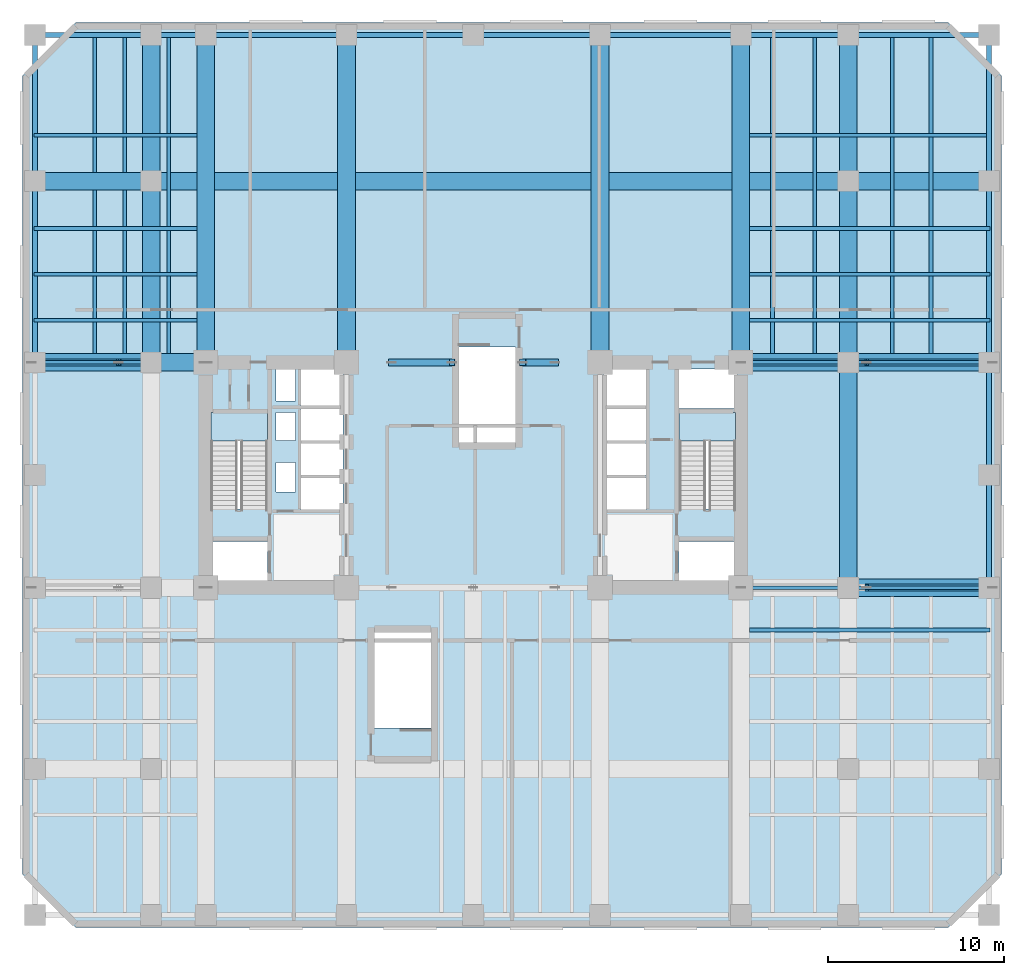
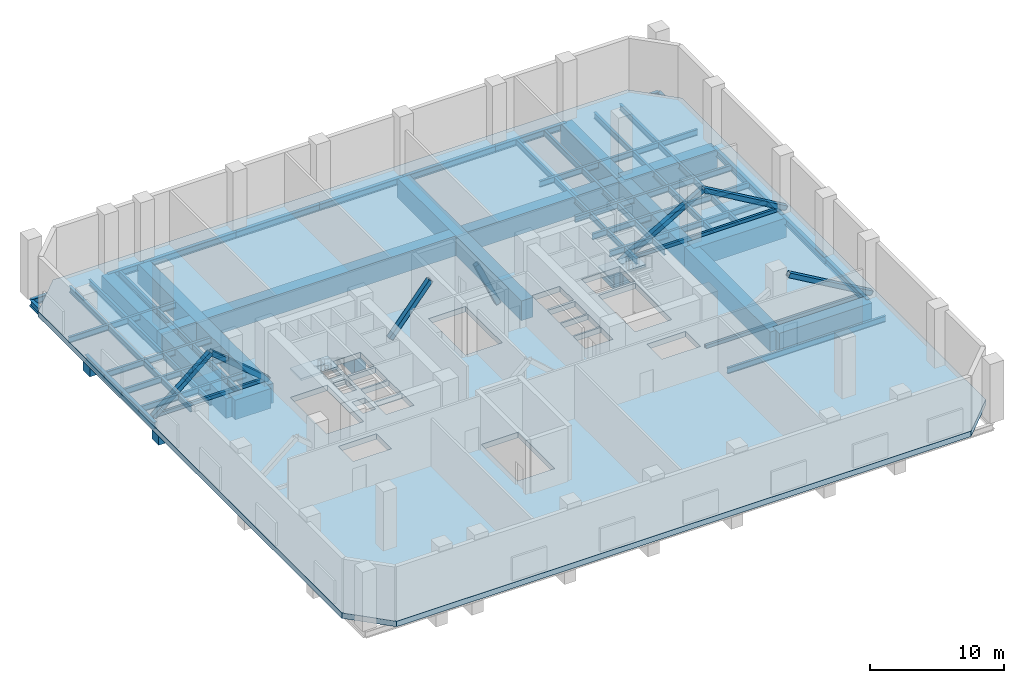
# One storey, part 2 of 13: 47 beams, 10 members, 3 slabs, 2 elements without a shape of their own.
"""IFC4 building model written with IfcOpenShell, lengths in metres."""

from ifc_helpers import new_model, si_unit, direction, frame, origin, origin_2d, place, context, subcontext, project, spatial, polyline, rectangle, hollow_rectangle, i_section, outline, extrude, material, layer, layer_set, material_profile, profile_set, type_object, element, aggregate, save


model = new_model("IFC4")

# Units and contexts
model_context = context("Model", 3, precision=1e-05, world=origin(), true_north=direction((0.0, 1.0)))
body_context = subcontext(model_context, "Body", "Model", "MODEL_VIEW")
ifc_project = project(units=[si_unit("LENGTHUNIT", "METRE"), si_unit("AREAUNIT", "SQUARE_METRE"), si_unit("VOLUMEUNIT", "CUBIC_METRE"), si_unit("PLANEANGLEUNIT", "RADIAN"), si_unit("MASSUNIT", "GRAM", prefix="KILO")], contexts=[model_context])

# Site, building, storey
site_placement = place(None, origin())
site = spatial("IfcSite", under=ifc_project, at=site_placement, CompositionType="ELEMENT")
building_placement = place(site_placement, origin())
building = spatial("IfcBuilding", under=site, at=building_placement, Name="Kranthara Brick Stack", CompositionType="ELEMENT")
storey_placement = place(building_placement, frame((0.0, 0.0, 18.89990234375)))
storey = spatial("IfcBuildingStorey", under=building, at=storey_placement, Name="L04", CompositionType="ELEMENT", Elevation=18.89990234375)

# Beams
ifc_material_1 = material(Name="Steel S355", Category="steel")
ifc_material_profile_1 = material_profile(ifc_material_1, i_section(OverallWidth=0.2099609375, OverallDepth=0.550048828125, WebThickness=0.010986328125, FlangeThickness=0.01708984375, at=origin_2d()), Name="IPE 550")
ifc_profile_set_1 = profile_set([ifc_material_profile_1], Name="Steel S355")
beam_type_1 = type_object("IfcBeamType", Name="BM-JST-IPE550", PredefinedType="JOIST", material=ifc_profile_set_1)
for number, where, z_axis, x_axis, name in (
    (1, (6.5, 34.10009765625, -0.77490234375), (0.0, 1.0, 0.0), (-1.0, 0.0, 0.0), "L04 North Wing Floor Joist 066"),
    (2, (8.199951171875, 34.10009765625, -0.77490234375), (0.0, 1.0, 0.0), (-1.0, 0.0, 0.0), "L04 North Wing Floor Joist 068"),
    (3, (10.699951171875, 34.10009765625, -0.77490234375), (0.0, 1.0, 0.0), (-1.0, 0.0, 0.0), "L04 North Wing Floor Joist 070"),
    (4, (45.0, 34.10009765625, -0.77490234375), (0.0, 1.0, 0.0), (-1.0, 0.0, 0.0), "L04 North Wing Floor Joist 076"),
    (5, (47.39990234375, 34.10009765625, -0.77490234375), (0.0, 1.0, 0.0), (-1.0, 0.0, 0.0), "L04 North Wing Floor Joist 078"),
    (6, (51.800048828125, 34.10009765625, -0.77490234375), (0.0, 1.0, 0.0), (-1.0, 0.0, 0.0), "L04 North Wing Floor Joist 080"),
    (7, (54.0, 34.10009765625, -0.77490234375), (0.0, 1.0, 0.0), (-1.0, 0.0, 0.0), "L04 North Wing Floor Joist 082"),
):
    element("IfcBeam", number, at=place(storey_placement, frame(where, z_axis=z_axis, x_axis=x_axis)), inside=storey, type_object=beam_type_1, Name=name, PredefinedType="JOIST", context=body_context, shape_type="SweptSolid", body=[
        extrude(i_section(OverallWidth=0.2099609375, OverallDepth=0.550048828125, WebThickness=0.010986328125, FlangeThickness=0.01708984375, at=origin_2d()), origin(), (0.0, 0.0, 1.0), 18.14990234375),
    ])
beam_1_placement = place(storey_placement, frame((43.699951171875, 18.39990234375, -0.77490234375), z_axis=(1.0, 0.0, 0.0), x_axis=(0.0, 1.0, 0.0)))
element("IfcBeam", 8, at=beam_1_placement, inside=storey, type_object=beam_type_1, Name="L04 East Wing Floor Joist 090", PredefinedType="JOIST", context=body_context, shape_type="SweptSolid", body=[
    extrude(i_section(OverallWidth=0.2099609375, OverallDepth=0.550048828125, WebThickness=0.010986328125, FlangeThickness=0.01708984375, at=origin_2d()), origin(), (0.0, 0.0, 1.0), 13.650146484375),
])
beam_2_placement = place(storey_placement, frame((3.050048828125, 36.0, -0.77490234375), z_axis=(1.0, 0.0, 0.0), x_axis=(0.0, 1.0, 0.0)))
element("IfcBeam", 9, at=beam_2_placement, inside=storey, type_object=beam_type_1, Name="L04 West Wing Floor Joist 091", PredefinedType="JOIST", context=body_context, shape_type="SweptSolid", body=[
    extrude(i_section(OverallWidth=0.2099609375, OverallDepth=0.550048828125, WebThickness=0.010986328125, FlangeThickness=0.01708984375, at=origin_2d()), origin(), (0.0, 0.0, 1.0), 9.25),
])
beam_3_placement = place(storey_placement, frame((43.699951171875, 36.0, -0.77490234375), z_axis=(1.0, 0.0, 0.0), x_axis=(0.0, 1.0, 0.0)))
element("IfcBeam", 10, at=beam_3_placement, inside=storey, type_object=beam_type_1, Name="L04 East Wing Floor Joist 092", PredefinedType="JOIST", context=body_context, shape_type="SweptSolid", body=[
    extrude(i_section(OverallWidth=0.2099609375, OverallDepth=0.550048828125, WebThickness=0.010986328125, FlangeThickness=0.01708984375, at=origin_2d()), origin(), (0.0, 0.0, 1.0), 13.650146484375),
])
beam_4_placement = place(storey_placement, frame((3.050048828125, 38.60009765625, -0.77490234375), z_axis=(1.0, 0.0, 0.0), x_axis=(0.0, 1.0, 0.0)))
element("IfcBeam", 11, at=beam_4_placement, inside=storey, type_object=beam_type_1, Name="L04 West Wing Floor Joist 093", PredefinedType="JOIST", context=body_context, shape_type="SweptSolid", body=[
    extrude(i_section(OverallWidth=0.2099609375, OverallDepth=0.550048828125, WebThickness=0.010986328125, FlangeThickness=0.01708984375, at=origin_2d()), origin(), (0.0, 0.0, 1.0), 9.25),
])
beam_5_placement = place(storey_placement, frame((43.699951171875, 38.60009765625, -0.77490234375), z_axis=(1.0, 0.0, 0.0), x_axis=(0.0, 1.0, 0.0)))
element("IfcBeam", 12, at=beam_5_placement, inside=storey, type_object=beam_type_1, Name="L04 East Wing Floor Joist 094", PredefinedType="JOIST", context=body_context, shape_type="SweptSolid", body=[
    extrude(i_section(OverallWidth=0.2099609375, OverallDepth=0.550048828125, WebThickness=0.010986328125, FlangeThickness=0.01708984375, at=origin_2d()), origin(), (0.0, 0.0, 1.0), 13.650146484375),
])
beam_6_placement = place(storey_placement, frame((3.050048828125, 41.199951171875, -0.77490234375), z_axis=(1.0, 0.0, 0.0), x_axis=(0.0, 1.0, 0.0)))
element("IfcBeam", 13, at=beam_6_placement, inside=storey, type_object=beam_type_1, Name="L04 West Wing Floor Joist 095", PredefinedType="JOIST", context=body_context, shape_type="SweptSolid", body=[
    extrude(i_section(OverallWidth=0.2099609375, OverallDepth=0.550048828125, WebThickness=0.010986328125, FlangeThickness=0.01708984375, at=origin_2d()), origin(), (0.0, 0.0, 1.0), 9.25),
])
beam_7_placement = place(storey_placement, frame((43.699951171875, 41.199951171875, -0.77490234375), z_axis=(1.0, 0.0, 0.0), x_axis=(0.0, 1.0, 0.0)))
element("IfcBeam", 14, at=beam_7_placement, inside=storey, type_object=beam_type_1, Name="L04 East Wing Floor Joist 096", PredefinedType="JOIST", context=body_context, shape_type="SweptSolid", body=[
    extrude(i_section(OverallWidth=0.2099609375, OverallDepth=0.550048828125, WebThickness=0.010986328125, FlangeThickness=0.01708984375, at=origin_2d()), origin(), (0.0, 0.0, 1.0), 13.650146484375),
])
beam_8_placement = place(storey_placement, frame((3.050048828125, 46.5, -0.77490234375), z_axis=(1.0, 0.0, 0.0), x_axis=(0.0, 1.0, 0.0)))
element("IfcBeam", 15, at=beam_8_placement, inside=storey, type_object=beam_type_1, Name="L04 West Wing Floor Joist 097", PredefinedType="JOIST", context=body_context, shape_type="SweptSolid", body=[
    extrude(i_section(OverallWidth=0.2099609375, OverallDepth=0.550048828125, WebThickness=0.010986328125, FlangeThickness=0.01708984375, at=origin_2d()), origin(), (0.0, 0.0, 1.0), 9.25),
])
beam_9_placement = place(storey_placement, frame((43.699951171875, 46.5, -0.77490234375), z_axis=(1.0, 0.0, 0.0), x_axis=(0.0, 1.0, 0.0)))
element("IfcBeam", 16, at=beam_9_placement, inside=storey, type_object=beam_type_1, Name="L04 East Wing Floor Joist 098", PredefinedType="JOIST", context=body_context, shape_type="SweptSolid", body=[
    extrude(i_section(OverallWidth=0.2099609375, OverallDepth=0.550048828125, WebThickness=0.010986328125, FlangeThickness=0.01708984375, at=origin_2d()), origin(), (0.0, 0.0, 1.0), 13.650146484375),
])
ifc_material_2 = material(Name="Steel S355", Category="steel")
ifc_material_profile_2 = material_profile(ifc_material_2, i_section(OverallWidth=0.300048828125, OverallDepth=0.60009765625, WebThickness=0.015380859375, FlangeThickness=0.030029296875, at=origin_2d()), Name="HEB 600")
ifc_profile_set_2 = profile_set([ifc_material_profile_2], Name="Steel S355")
beam_type_2 = type_object("IfcBeamType", Name="BM-STL-HEB600", PredefinedType="BEAM", material=ifc_profile_set_2)
beam_10_placement = place(storey_placement, frame((3.10009765625, 52.199951171875, -0.7998046875), z_axis=(1.0, 0.0, 0.0), x_axis=(0.0, 1.0, 0.0)))
element("IfcBeam", 17, at=beam_10_placement, inside=storey, type_object=beam_type_2, Name="L04 Perimeter Spandrel Beam 012", PredefinedType="BEAM", context=body_context, shape_type="SweptSolid", body=[
    extrude(i_section(OverallWidth=0.300048828125, OverallDepth=0.60009765625, WebThickness=0.015380859375, FlangeThickness=0.030029296875, at=origin_2d()), origin(), (0.0, 0.0, 1.0), 6.599853515625),
])
beam_11_placement = place(storey_placement, frame((9.699951171875, 52.199951171875, -0.7998046875), z_axis=(1.0, 0.0, 0.0), x_axis=(0.0, 1.0, 0.0)))
element("IfcBeam", 18, at=beam_11_placement, inside=storey, type_object=beam_type_2, Name="L04 Perimeter Spandrel Beam 013", PredefinedType="BEAM", context=body_context, shape_type="SweptSolid", body=[
    extrude(i_section(OverallWidth=0.300048828125, OverallDepth=0.60009765625, WebThickness=0.015380859375, FlangeThickness=0.030029296875, at=origin_2d()), origin(), (0.0, 0.0, 1.0), 3.10009765625),
])
beam_12_placement = place(storey_placement, frame((12.800048828125, 52.199951171875, -0.7998046875), z_axis=(1.0, 0.0, 0.0), x_axis=(0.0, 1.0, 0.0)))
element("IfcBeam", 19, at=beam_12_placement, inside=storey, type_object=beam_type_2, Name="L04 Perimeter Spandrel Beam 014", PredefinedType="BEAM", context=body_context, shape_type="SweptSolid", body=[
    extrude(i_section(OverallWidth=0.300048828125, OverallDepth=0.60009765625, WebThickness=0.015380859375, FlangeThickness=0.030029296875, at=origin_2d()), origin(), (0.0, 0.0, 1.0), 8.0),
])
for number, where, z_axis, x_axis, name in (
    (20, (20.800048828125, 52.199951171875, -0.7998046875), (1.0, 0.0, 0.0), (0.0, 1.0, 0.0), "L04 Perimeter Spandrel Beam 015"),
    (21, (28.0, 52.199951171875, -0.7998046875), (1.0, 0.0, 0.0), (0.0, 1.0, 0.0), "L04 Perimeter Spandrel Beam 016"),
):
    element("IfcBeam", number, at=place(storey_placement, frame(where, z_axis=z_axis, x_axis=x_axis)), inside=storey, type_object=beam_type_2, Name=name, PredefinedType="BEAM", context=body_context, shape_type="SweptSolid", body=[
        extrude(i_section(OverallWidth=0.300048828125, OverallDepth=0.60009765625, WebThickness=0.015380859375, FlangeThickness=0.030029296875, at=origin_2d()), origin(), (0.0, 0.0, 1.0), 7.199951171875),
    ])
beam_13_placement = place(storey_placement, frame((35.199951171875, 52.199951171875, -0.7998046875), z_axis=(1.0, 0.0, 0.0), x_axis=(0.0, 1.0, 0.0)))
element("IfcBeam", 22, at=beam_13_placement, inside=storey, type_object=beam_type_2, Name="L04 Perimeter Spandrel Beam 017", PredefinedType="BEAM", context=body_context, shape_type="SweptSolid", body=[
    extrude(i_section(OverallWidth=0.300048828125, OverallDepth=0.60009765625, WebThickness=0.015380859375, FlangeThickness=0.030029296875, at=origin_2d()), origin(), (0.0, 0.0, 1.0), 8.0),
])
beam_14_placement = place(storey_placement, frame((43.199951171875, 52.199951171875, -0.7998046875), z_axis=(1.0, 0.0, 0.0), x_axis=(0.0, 1.0, 0.0)))
element("IfcBeam", 23, at=beam_14_placement, inside=storey, type_object=beam_type_2, Name="L04 Perimeter Spandrel Beam 018", PredefinedType="BEAM", context=body_context, shape_type="SweptSolid", body=[
    extrude(i_section(OverallWidth=0.300048828125, OverallDepth=0.60009765625, WebThickness=0.015380859375, FlangeThickness=0.030029296875, at=origin_2d()), origin(), (0.0, 0.0, 1.0), 6.10009765625),
])
beam_15_placement = place(storey_placement, frame((49.300048828125, 52.199951171875, -0.7998046875), z_axis=(1.0, 0.0, 0.0), x_axis=(0.0, 1.0, 0.0)))
element("IfcBeam", 24, at=beam_15_placement, inside=storey, type_object=beam_type_2, Name="L04 Perimeter Spandrel Beam 019", PredefinedType="BEAM", context=body_context, shape_type="SweptSolid", body=[
    extrude(i_section(OverallWidth=0.300048828125, OverallDepth=0.60009765625, WebThickness=0.015380859375, FlangeThickness=0.030029296875, at=origin_2d()), origin(), (0.0, 0.0, 1.0), 8.0),
])
beam_16_placement = place(storey_placement, frame((3.10009765625, 33.60009765625, -0.7998046875), z_axis=(0.0, 1.0, 0.0), x_axis=(-1.0, 0.0, 0.0)))
element("IfcBeam", 25, at=beam_16_placement, inside=storey, type_object=beam_type_2, Name="L04 Perimeter Spandrel Beam 024", PredefinedType="BEAM", context=body_context, shape_type="SweptSolid", body=[
    extrude(i_section(OverallWidth=0.300048828125, OverallDepth=0.60009765625, WebThickness=0.015380859375, FlangeThickness=0.030029296875, at=origin_2d()), origin(), (0.0, 0.0, 1.0), 10.2998046875),
])
beam_17_placement = place(storey_placement, frame((3.10009765625, 43.89990234375, -0.7998046875), z_axis=(0.0, 1.0, 0.0), x_axis=(-1.0, 0.0, 0.0)))
element("IfcBeam", 26, at=beam_17_placement, inside=storey, type_object=beam_type_2, Name="L04 Perimeter Spandrel Beam 025", PredefinedType="BEAM", context=body_context, shape_type="SweptSolid", body=[
    extrude(i_section(OverallWidth=0.300048828125, OverallDepth=0.60009765625, WebThickness=0.015380859375, FlangeThickness=0.030029296875, at=origin_2d()), origin(), (0.0, 0.0, 1.0), 8.300048828125),
])
beam_18_placement = place(storey_placement, frame((57.300048828125, 20.800048828125, -0.7998046875), z_axis=(0.0, 1.0, 0.0), x_axis=(-1.0, 0.0, 0.0)))
element("IfcBeam", 27, at=beam_18_placement, inside=storey, type_object=beam_type_2, Name="L04 Perimeter Spandrel Beam 028", PredefinedType="BEAM", context=body_context, shape_type="SweptSolid", body=[
    extrude(i_section(OverallWidth=0.300048828125, OverallDepth=0.60009765625, WebThickness=0.015380859375, FlangeThickness=0.030029296875, at=origin_2d()), origin(), (0.0, 0.0, 1.0), 6.39990234375),
])
beam_19_placement = place(storey_placement, frame((57.300048828125, 27.199951171875, -0.7998046875), z_axis=(0.0, 1.0, 0.0), x_axis=(-1.0, 0.0, 0.0)))
element("IfcBeam", 28, at=beam_19_placement, inside=storey, type_object=beam_type_2, Name="L04 Perimeter Spandrel Beam 029", PredefinedType="BEAM", context=body_context, shape_type="SweptSolid", body=[
    extrude(i_section(OverallWidth=0.300048828125, OverallDepth=0.60009765625, WebThickness=0.015380859375, FlangeThickness=0.030029296875, at=origin_2d()), origin(), (0.0, 0.0, 1.0), 6.400146484375),
])
beam_20_placement = place(storey_placement, frame((57.300048828125, 33.60009765625, -0.7998046875), z_axis=(0.0, 1.0, 0.0), x_axis=(-1.0, 0.0, 0.0)))
element("IfcBeam", 29, at=beam_20_placement, inside=storey, type_object=beam_type_2, Name="L04 Perimeter Spandrel Beam 030", PredefinedType="BEAM", context=body_context, shape_type="SweptSolid", body=[
    extrude(i_section(OverallWidth=0.300048828125, OverallDepth=0.60009765625, WebThickness=0.015380859375, FlangeThickness=0.030029296875, at=origin_2d()), origin(), (0.0, 0.0, 1.0), 10.2998046875),
])
beam_21_placement = place(storey_placement, frame((57.300048828125, 43.89990234375, -0.7998046875), z_axis=(0.0, 1.0, 0.0), x_axis=(-1.0, 0.0, 0.0)))
element("IfcBeam", 30, at=beam_21_placement, inside=storey, type_object=beam_type_2, Name="L04 Perimeter Spandrel Beam 031", PredefinedType="BEAM", context=body_context, shape_type="SweptSolid", body=[
    extrude(i_section(OverallWidth=0.300048828125, OverallDepth=0.60009765625, WebThickness=0.015380859375, FlangeThickness=0.030029296875, at=origin_2d()), origin(), (0.0, 0.0, 1.0), 8.300048828125),
])
ifc_material_3 = material(Name="Post-tensioned concrete C50/60", Category="concrete")
ifc_material_profile_3 = material_profile(ifc_material_3, rectangle(XDim=1.0, YDim=1.800048828125, at=origin_2d()), Name="PT 1000x1800")
ifc_profile_set_3 = profile_set([ifc_material_profile_3], Name="Post-tensioned concrete C50/60")
beam_type_3 = type_object("IfcBeamType", Name="BM-TR-PT1800", PredefinedType="T_BEAM", material=ifc_profile_set_3)
beam_22_placement = place(storey_placement, frame((9.699951171875, 33.60009765625, -1.39990234375), z_axis=(0.0, 1.0, 0.0), x_axis=(-1.0, 0.0, 0.0)))
element("IfcBeam", 31, at=beam_22_placement, inside=storey, type_object=beam_type_3, Name="L04 Primary Grid Girder 035", PredefinedType="T_BEAM", context=body_context, shape_type="SweptSolid", body=[
    extrude(rectangle(XDim=1.0, YDim=1.800048828125, at=origin_2d()), origin(), (0.0, 0.0, 1.0), 10.2998046875),
])
beam_23_placement = place(storey_placement, frame((9.699951171875, 43.89990234375, -1.39990234375), z_axis=(0.0, 1.0, 0.0), x_axis=(-1.0, 0.0, 0.0)))
element("IfcBeam", 32, at=beam_23_placement, inside=storey, type_object=beam_type_3, Name="L04 Primary Grid Girder 036", PredefinedType="T_BEAM", context=body_context, shape_type="SweptSolid", body=[
    extrude(rectangle(XDim=1.0, YDim=1.800048828125, at=origin_2d()), origin(), (0.0, 0.0, 1.0), 8.300048828125),
])
for number, where, z_axis, x_axis, name in (
    (33, (12.800048828125, 33.60009765625, -1.39990234375), (0.0, 1.0, 0.0), (-1.0, 0.0, 0.0), "L04 Primary Grid Girder 038"),
    (34, (20.800048828125, 33.60009765625, -1.39990234375), (0.0, 1.0, 0.0), (-1.0, 0.0, 0.0), "L04 Primary Grid Girder 040"),
    (35, (35.199951171875, 33.60009765625, -1.39990234375), (0.0, 1.0, 0.0), (-1.0, 0.0, 0.0), "L04 Primary Grid Girder 043"),
    (36, (43.199951171875, 33.60009765625, -1.39990234375), (0.0, 1.0, 0.0), (-1.0, 0.0, 0.0), "L04 Primary Grid Girder 045"),
):
    element("IfcBeam", number, at=place(storey_placement, frame(where, z_axis=z_axis, x_axis=x_axis)), inside=storey, type_object=beam_type_3, Name=name, PredefinedType="T_BEAM", context=body_context, shape_type="SweptSolid", body=[
        extrude(rectangle(XDim=1.0, YDim=1.800048828125, at=origin_2d()), origin(), (0.0, 0.0, 1.0), 18.599853515625),
    ])
beam_24_placement = place(storey_placement, frame((49.300048828125, 20.800048828125, -1.39990234375), z_axis=(0.0, 1.0, 0.0), x_axis=(-1.0, 0.0, 0.0)))
element("IfcBeam", 37, at=beam_24_placement, inside=storey, type_object=beam_type_3, Name="L04 Primary Grid Girder 048", PredefinedType="T_BEAM", context=body_context, shape_type="SweptSolid", body=[
    extrude(rectangle(XDim=1.0, YDim=1.800048828125, at=origin_2d()), origin(), (0.0, 0.0, 1.0), 12.800048828125),
])
beam_25_placement = place(storey_placement, frame((49.300048828125, 33.60009765625, -1.39990234375), z_axis=(0.0, 1.0, 0.0), x_axis=(-1.0, 0.0, 0.0)))
element("IfcBeam", 38, at=beam_25_placement, inside=storey, type_object=beam_type_3, Name="L04 Primary Grid Girder 049", PredefinedType="T_BEAM", context=body_context, shape_type="SweptSolid", body=[
    extrude(rectangle(XDim=1.0, YDim=1.800048828125, at=origin_2d()), origin(), (0.0, 0.0, 1.0), 10.2998046875),
])
beam_26_placement = place(storey_placement, frame((49.300048828125, 43.89990234375, -1.39990234375), z_axis=(0.0, 1.0, 0.0), x_axis=(-1.0, 0.0, 0.0)))
element("IfcBeam", 39, at=beam_26_placement, inside=storey, type_object=beam_type_3, Name="L04 Primary Grid Girder 050", PredefinedType="T_BEAM", context=body_context, shape_type="SweptSolid", body=[
    extrude(rectangle(XDim=1.0, YDim=1.800048828125, at=origin_2d()), origin(), (0.0, 0.0, 1.0), 8.300048828125),
])
beam_27_placement = place(storey_placement, frame((49.300048828125, 20.800048828125, -1.39990234375), z_axis=(1.0, 0.0, 0.0), x_axis=(0.0, 1.0, 0.0)))
element("IfcBeam", 40, at=beam_27_placement, inside=storey, type_object=beam_type_3, Name="L04 Primary Grid Girder 057", PredefinedType="T_BEAM", context=body_context, shape_type="SweptSolid", body=[
    extrude(rectangle(XDim=1.0, YDim=1.800048828125, at=origin_2d()), origin(), (0.0, 0.0, 1.0), 8.0),
])
beam_28_placement = place(storey_placement, frame((3.10009765625, 33.60009765625, -1.39990234375), z_axis=(1.0, 0.0, 0.0), x_axis=(0.0, 1.0, 0.0)))
element("IfcBeam", 41, at=beam_28_placement, inside=storey, type_object=beam_type_3, Name="L04 Primary Grid Girder 058", PredefinedType="T_BEAM", context=body_context, shape_type="SweptSolid", body=[
    extrude(rectangle(XDim=1.0, YDim=1.800048828125, at=origin_2d()), origin(), (0.0, 0.0, 1.0), 6.599853515625),
])
beam_29_placement = place(storey_placement, frame((9.699951171875, 33.60009765625, -1.39990234375), z_axis=(1.0, 0.0, 0.0), x_axis=(0.0, 1.0, 0.0)))
element("IfcBeam", 42, at=beam_29_placement, inside=storey, type_object=beam_type_3, Name="L04 Primary Grid Girder 059", PredefinedType="T_BEAM", context=body_context, shape_type="SweptSolid", body=[
    extrude(rectangle(XDim=1.0, YDim=1.800048828125, at=origin_2d()), origin(), (0.0, 0.0, 1.0), 3.10009765625),
])
beam_30_placement = place(storey_placement, frame((43.199951171875, 33.60009765625, -1.39990234375), z_axis=(1.0, 0.0, 0.0), x_axis=(0.0, 1.0, 0.0)))
element("IfcBeam", 43, at=beam_30_placement, inside=storey, type_object=beam_type_3, Name="L04 Primary Grid Girder 060", PredefinedType="T_BEAM", context=body_context, shape_type="SweptSolid", body=[
    extrude(rectangle(XDim=1.0, YDim=1.800048828125, at=origin_2d()), origin(), (0.0, 0.0, 1.0), 6.10009765625),
])
beam_31_placement = place(storey_placement, frame((49.300048828125, 33.60009765625, -1.39990234375), z_axis=(1.0, 0.0, 0.0), x_axis=(0.0, 1.0, 0.0)))
element("IfcBeam", 44, at=beam_31_placement, inside=storey, type_object=beam_type_3, Name="L04 Primary Grid Girder 061", PredefinedType="T_BEAM", context=body_context, shape_type="SweptSolid", body=[
    extrude(rectangle(XDim=1.0, YDim=1.800048828125, at=origin_2d()), origin(), (0.0, 0.0, 1.0), 8.0),
])
beam_32_placement = place(storey_placement, frame((3.10009765625, 43.89990234375, -1.39990234375), z_axis=(1.0, 0.0, 0.0), x_axis=(0.0, 1.0, 0.0)))
element("IfcBeam", 45, at=beam_32_placement, inside=storey, type_object=beam_type_3, Name="L04 Primary Grid Girder 062", PredefinedType="T_BEAM", context=body_context, shape_type="SweptSolid", body=[
    extrude(rectangle(XDim=1.0, YDim=1.800048828125, at=origin_2d()), origin(), (0.0, 0.0, 1.0), 6.599853515625),
])
beam_33_placement = place(storey_placement, frame((9.699951171875, 43.89990234375, -1.39990234375), z_axis=(1.0, 0.0, 0.0), x_axis=(0.0, 1.0, 0.0)))
element("IfcBeam", 46, at=beam_33_placement, inside=storey, type_object=beam_type_3, Name="L04 Primary Grid Girder 063", PredefinedType="T_BEAM", context=body_context, shape_type="SweptSolid", body=[
    extrude(rectangle(XDim=1.0, YDim=1.800048828125, at=origin_2d()), origin(), (0.0, 0.0, 1.0), 39.60009765625),
])
beam_34_placement = place(storey_placement, frame((49.300048828125, 43.89990234375, -1.39990234375), z_axis=(1.0, 0.0, 0.0), x_axis=(0.0, 1.0, 0.0)))
element("IfcBeam", 47, at=beam_34_placement, inside=storey, type_object=beam_type_3, Name="L04 Primary Grid Girder 064", PredefinedType="T_BEAM", context=body_context, shape_type="SweptSolid", body=[
    extrude(rectangle(XDim=1.0, YDim=1.800048828125, at=origin_2d()), origin(), (0.0, 0.0, 1.0), 8.0),
])

# Members
ifc_material_4 = material(Name="Steel S460", Category="steel")
ifc_material_profile_4 = material_profile(ifc_material_4, hollow_rectangle(XDim=0.39990234375, YDim=0.39990234375, WallThickness=0.02001953125, at=origin_2d()), Name="SHS 400x400x20")
ifc_profile_set_4 = profile_set([ifc_material_profile_4], Name="Steel S460")
member_type_1 = type_object("IfcMemberType", Name="MB-BRC-SHS400", PredefinedType="BRACE", material=ifc_profile_set_4)
member_1_placement = place(storey_placement, frame((12.800048828125, 33.60009765625, 0.10009765625), z_axis=(-0.766318793148, 0.0, 0.64246051028), x_axis=(0.0, -1.0, 0.0)))
element("IfcMember", 48, at=member_1_placement, inside=storey, type_object=member_type_1, Name="L04 Outrigger Truss Diagonal 02", PredefinedType="BRACE", context=body_context, shape_type="SweptSolid", body=[
    extrude(hollow_rectangle(XDim=0.39990234375, YDim=0.39990234375, WallThickness=0.02001953125, at=origin_2d()), origin(), (0.0, 0.0, 1.0), 6.45947265625),
])
member_2_placement = place(storey_placement, frame((43.199951171875, 33.60009765625, 0.10009765625), z_axis=(0.86488324767, 0.0, 0.501973074876), x_axis=(0.0, 1.0, 0.0)))
element("IfcMember", 49, at=member_2_placement, inside=storey, type_object=member_type_1, Name="L04 Outrigger Truss Diagonal 04", PredefinedType="BRACE", context=body_context, shape_type="SweptSolid", body=[
    extrude(hollow_rectangle(XDim=0.39990234375, YDim=0.39990234375, WallThickness=0.02001953125, at=origin_2d()), origin(), (0.0, 0.0, 1.0), 8.26708984375),
])
member_3_placement = place(storey_placement, frame((7.85009765625, 33.60009765625, 4.25), z_axis=(-0.766334393077, 0.0, -0.642441902422), x_axis=(0.0, -1.0, 0.0)))
element("IfcMember", 50, at=member_3_placement, inside=storey, type_object=member_type_1, Name="L04 Outrigger Truss Diagonal 06", PredefinedType="BRACE", context=body_context, shape_type="SweptSolid", body=[
    extrude(hollow_rectangle(XDim=0.39990234375, YDim=0.39990234375, WallThickness=0.02001953125, at=origin_2d()), origin(), (0.0, 0.0, 1.0), 6.45947265625),
])
for number, where, z_axis, x_axis, name in (
    (51, (50.35009765625, 20.800048828125, 4.25), (0.864875806177, 0.0, -0.501985896107), (0.0, 1.0, 0.0), "L04 Outrigger Truss Diagonal 07"),
    (52, (50.35009765625, 33.60009765625, 4.25), (0.864875806177, 0.0, -0.501985896107), (0.0, 1.0, 0.0), "L04 Outrigger Truss Diagonal 08"),
):
    element("IfcMember", number, at=place(storey_placement, frame(where, z_axis=z_axis, x_axis=x_axis)), inside=storey, type_object=member_type_1, Name=name, PredefinedType="BRACE", context=body_context, shape_type="SweptSolid", body=[
        extrude(hollow_rectangle(XDim=0.39990234375, YDim=0.39990234375, WallThickness=0.02001953125, at=origin_2d()), origin(), (0.0, 0.0, 1.0), 8.26708984375),
    ])
member_4_placement = place(storey_placement, frame((23.35009765625, 33.60009765625, 0.10009765625), z_axis=(0.639276200719, 0.0, 0.768977203299), x_axis=(0.0, 1.0, 0.0)))
element("IfcMember", 53, at=member_4_placement, inside=storey, type_object=member_type_1, Name="L04 Outrigger Truss Diagonal 11", PredefinedType="BRACE", context=body_context, shape_type="SweptSolid", body=[
    extrude(hollow_rectangle(XDim=0.39990234375, YDim=0.39990234375, WallThickness=0.02001953125, at=origin_2d()), origin(), (0.0, 0.0, 1.0), 5.396728515625),
])
member_5_placement = place(storey_placement, frame((32.64990234375, 33.60009765625, 0.10009765625), z_axis=(-0.407140327858, 0.0, 0.913365618705), x_axis=(0.0, -1.0, 0.0)))
element("IfcMember", 54, at=member_5_placement, inside=storey, type_object=member_type_1, Name="L04 Outrigger Truss Diagonal 12", PredefinedType="BRACE", context=body_context, shape_type="SweptSolid", body=[
    extrude(hollow_rectangle(XDim=0.39990234375, YDim=0.39990234375, WallThickness=0.02001953125, at=origin_2d()), origin(), (0.0, 0.0, 1.0), 4.54345703125),
])
ifc_material_5 = material(Name="Steel S355", Category="steel")
ifc_material_profile_5 = material_profile(ifc_material_5, hollow_rectangle(XDim=0.199951171875, YDim=0.39990234375, WallThickness=0.01611328125, at=origin_2d()), Name="RHS 200x400x16")
ifc_profile_set_5 = profile_set([ifc_material_profile_5], Name="Steel S355")
member_type_2 = type_object("IfcMemberType", Name="MB-CHD-RHS400", PredefinedType="CHORD", material=ifc_profile_set_5)
member_6_placement = place(storey_placement, frame((12.800048828125, 33.60009765625, 0.10009765625), z_axis=(-1.0, 0.0, 0.0), x_axis=(0.0, -1.0, 0.0)))
element("IfcMember", 55, at=member_6_placement, inside=storey, type_object=member_type_2, Name="L04 Outrigger Bottom Chord 02", PredefinedType="CHORD", context=body_context, shape_type="SweptSolid", body=[
    extrude(hollow_rectangle(XDim=0.199951171875, YDim=0.39990234375, WallThickness=0.01611328125, at=origin_2d()), origin(), (0.0, 0.0, 1.0), 9.900146484375),
])
for number, where, z_axis, x_axis, name in (
    (56, (43.199951171875, 20.800048828125, 0.10009765625), (1.0, 0.0, 0.0), (0.0, 1.0, 0.0), "L04 Outrigger Bottom Chord 03"),
    (57, (43.199951171875, 33.60009765625, 0.10009765625), (1.0, 0.0, 0.0), (0.0, 1.0, 0.0), "L04 Outrigger Bottom Chord 04"),
):
    element("IfcMember", number, at=place(storey_placement, frame(where, z_axis=z_axis, x_axis=x_axis)), inside=storey, type_object=member_type_2, Name=name, PredefinedType="CHORD", context=body_context, shape_type="SweptSolid", body=[
        extrude(hollow_rectangle(XDim=0.199951171875, YDim=0.39990234375, WallThickness=0.01611328125, at=origin_2d()), origin(), (0.0, 0.0, 1.0), 14.300048828125),
    ])

# Stair, slab
ifc_material_6 = material(Name="Concrete C45/55", Category="concrete")
stair_type = type_object("IfcStairType", Name="ST-CORE-30R", PredefinedType="HALF_TURN_STAIR", material=ifc_material_6)
stair_1_placement = place(storey_placement, origin())
stair_1 = element("IfcStair", 58, at=stair_1_placement, inside=storey, type_object=stair_type, Name="L04 West Core Protected Exit Stair ST01", PredefinedType="HALF_TURN_STAIR")
ifc_material_7 = material(Name="Concrete C45/55", Category="concrete")
ifc_layer_1 = layer(ifc_material_7, 0.199951171875)
ifc_layer_set_1 = layer_set([ifc_layer_1], Name="Concrete C45/55")
slab_type_1 = type_object("IfcSlabType", Name="SLB-LANDING-200", PredefinedType="LANDING", material=ifc_layer_set_1)
slab_1_placement = place(storey_placement, frame((0.0, 0.0, 2.5)))
slab_1 = element("IfcSlab", 59, at=slab_1_placement, type_object=slab_type_1, Name="ST01 landing 1", PredefinedType="LANDING", context=body_context, shape_type="SweptSolid", body=[
    extrude(outline(polyline([(16.300048828125, 29.1201171875), (16.300048828125, 30.75), (13.10009765625, 30.75), (13.10009765625, 29.1201171875), (16.300048828125, 29.1201171875)])), origin(), (0.0, 0.0, 1.0), 0.2001953125),
])
aggregate(stair_1, [slab_1])

stair_2_placement = place(storey_placement, origin())
stair_2 = element("IfcStair", 60, at=stair_2_placement, inside=storey, type_object=stair_type, Name="L04 East Core Protected Exit Stair ST02", PredefinedType="HALF_TURN_STAIR")
slab_2_placement = place(storey_placement, frame((0.0, 0.0, 2.5)))
slab_2 = element("IfcSlab", 61, at=slab_2_placement, type_object=slab_type_1, Name="ST02 landing 1", PredefinedType="LANDING", context=body_context, shape_type="SweptSolid", body=[
    extrude(outline(polyline([(42.89990234375, 29.1201171875), (42.89990234375, 30.75), (39.699951171875, 30.75), (39.699951171875, 29.1201171875), (42.89990234375, 29.1201171875)])), origin(), (0.0, 0.0, 1.0), 0.2001953125),
])
aggregate(stair_2, [slab_2])

# Slab
ifc_material_8 = material(Name="Post-tensioned concrete C50/60", Category="concrete")
ifc_layer_2 = layer(ifc_material_8, 0.5)
ifc_layer_set_2 = layer_set([ifc_layer_2], Name="Post-tensioned concrete C50/60")
slab_type_2 = type_object("IfcSlabType", Name="SLB-TRANS-500", PredefinedType="FLOOR", material=ifc_layer_set_2)
slab_3_placement = place(storey_placement, frame((0.0, 0.0, -0.5)))
element("IfcSlab", 62, at=slab_3_placement, inside=storey, type_object=slab_type_2, Name="L04 Structural Floor Plate", PredefinedType="FLOOR", context=body_context, shape_type="SweptSolid", body=[
    extrude(outline(polyline([(5.39990234375, 1.5), (55.0, 1.5), (58.0, 4.5), (58.0, 49.89990234375), (55.0, 52.89990234375), (5.39990234375, 52.89990234375), (2.39990234375, 49.89990234375), (2.39990234375, 4.5), (5.39990234375, 1.5)]), holes=[polyline([(13.10009765625, 25.280029296875), (16.300048828125, 25.280029296875), (16.300048828125, 30.75), (13.10009765625, 30.75), (13.10009765625, 25.280029296875)]), polyline([(39.699951171875, 25.280029296875), (42.89990234375, 25.280029296875), (42.89990234375, 30.75), (39.699951171875, 30.75), (39.699951171875, 25.280029296875)]), polyline([(22.39990234375, 12.830078125), (25.60009765625, 12.830078125), (25.60009765625, 18.300048828125), (22.39990234375, 18.300048828125), (22.39990234375, 12.830078125)]), polyline([(27.199951171875, 29.0), (30.39990234375, 29.0), (30.39990234375, 34.469970703125), (27.199951171875, 34.469970703125), (27.199951171875, 29.0)]), polyline([(13.0, 21.179931640625), (16.320068359375, 21.179931640625), (16.320068359375, 23.419921875), (13.0, 23.419921875), (13.0, 21.179931640625)]), polyline([(39.679931640625, 21.179931640625), (43.0, 21.179931640625), (43.0, 23.419921875), (39.679931640625, 23.419921875), (39.679931640625, 21.179931640625)]), polyline([(39.679931640625, 30.97998046875), (43.0, 30.97998046875), (43.0, 33.219970703125), (39.679931640625, 33.219970703125), (39.679931640625, 30.97998046875)]), polyline([(18.199951171875, 25.25), (20.60009765625, 25.25), (20.60009765625, 27.050048828125), (18.199951171875, 27.050048828125), (18.199951171875, 25.25)]), polyline([(18.199951171875, 27.199951171875), (20.60009765625, 27.199951171875), (20.60009765625, 29.0), (18.199951171875, 29.0), (18.199951171875, 27.199951171875)]), polyline([(18.199951171875, 29.14990234375), (20.60009765625, 29.14990234375), (20.60009765625, 30.949951171875), (18.199951171875, 30.949951171875), (18.199951171875, 29.14990234375)]), polyline([(35.39990234375, 25.25), (37.800048828125, 25.25), (37.800048828125, 27.050048828125), (35.39990234375, 27.050048828125), (35.39990234375, 25.25)]), polyline([(35.39990234375, 27.199951171875), (37.800048828125, 27.199951171875), (37.800048828125, 29.0), (35.39990234375, 29.0), (35.39990234375, 27.199951171875)]), polyline([(35.39990234375, 29.14990234375), (37.800048828125, 29.14990234375), (37.800048828125, 30.949951171875), (35.39990234375, 30.949951171875), (35.39990234375, 29.14990234375)]), polyline([(18.199951171875, 31.14990234375), (20.60009765625, 31.14990234375), (20.60009765625, 33.219970703125), (18.199951171875, 33.219970703125), (18.199951171875, 31.14990234375)]), polyline([(35.39990234375, 31.14990234375), (37.800048828125, 31.14990234375), (37.800048828125, 33.219970703125), (35.39990234375, 33.219970703125), (35.39990234375, 31.14990234375)]), polyline([(16.800048828125, 26.25), (17.89990234375, 26.25), (17.89990234375, 27.89990234375), (16.800048828125, 27.89990234375), (16.800048828125, 26.25)]), polyline([(16.800048828125, 29.14990234375), (17.89990234375, 29.14990234375), (17.89990234375, 30.75), (16.800048828125, 30.75), (16.800048828125, 29.14990234375)]), polyline([(16.800048828125, 31.39990234375), (17.89990234375, 31.39990234375), (17.89990234375, 33.25), (16.800048828125, 33.25), (16.800048828125, 31.39990234375)])]), origin(), (0.0, 0.0, 1.0), 0.5),
])

save(model, "model.ifc")
